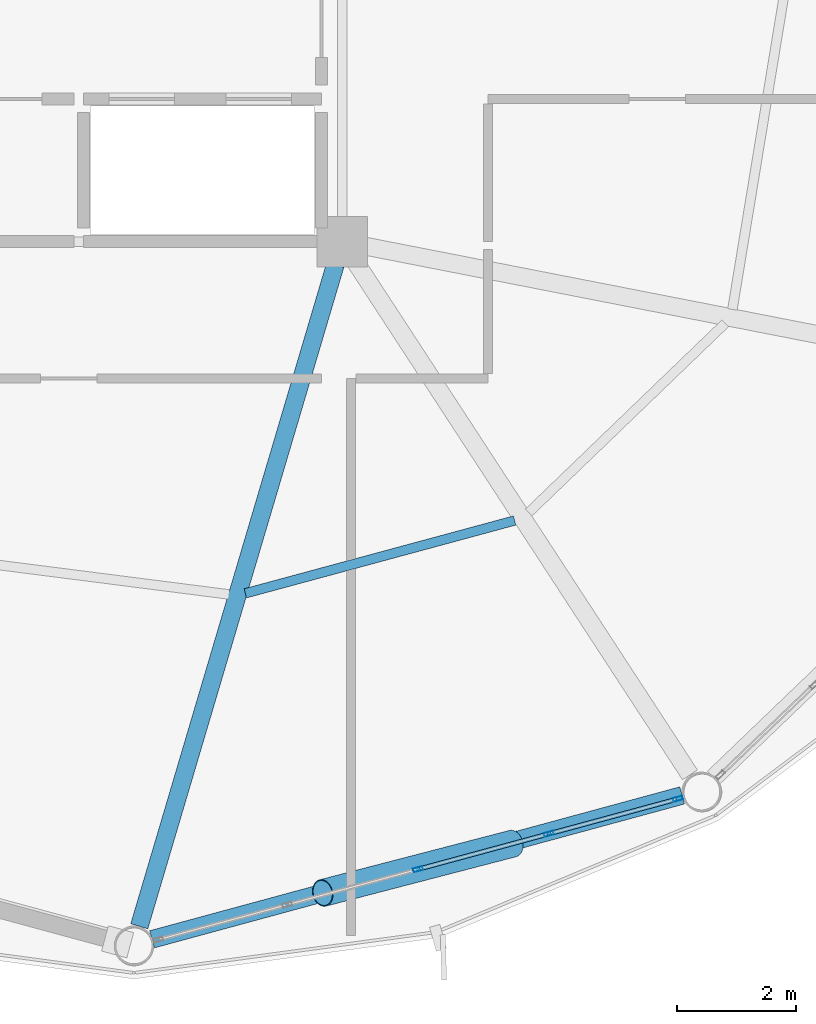
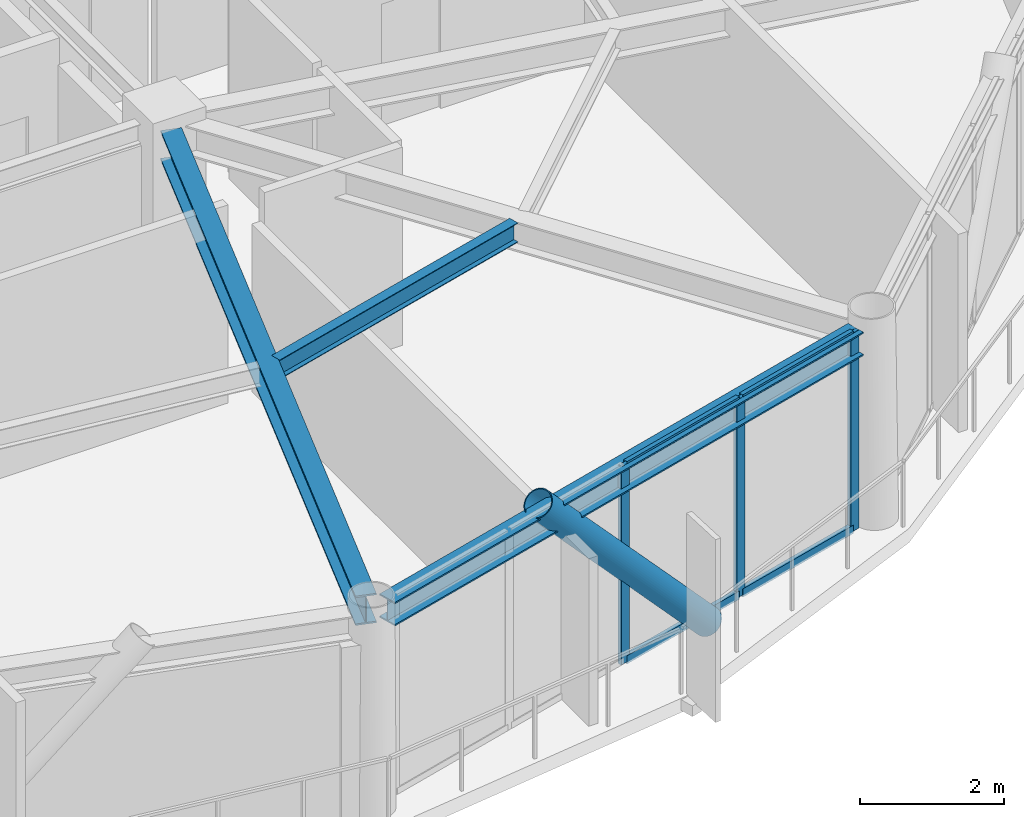
# One storey, part 8 of 28: 8 members, 3 beams, 1 element without a shape of its own.
"""IFC4 building model written with IfcOpenShell, lengths in metres."""

from ifc_helpers import new_model, si_unit, direction, frame, origin, origin_2d, place, context, subcontext, project, spatial, hollow_rectangle, hollow_circle, i_section, extrude, material, layer, layer_set, material_profile, profile_set, type_object, element, aggregate, save


model = new_model("IFC4")

# Units and contexts
model_context = context("Model", 3, precision=1e-05, world=origin(), true_north=direction((0.0, 1.0)))
body_context = subcontext(model_context, "Body", "Model", "MODEL_VIEW")
ifc_project = project(units=[si_unit("LENGTHUNIT", "METRE"), si_unit("AREAUNIT", "SQUARE_METRE"), si_unit("VOLUMEUNIT", "CUBIC_METRE"), si_unit("PLANEANGLEUNIT", "RADIAN"), si_unit("MASSUNIT", "GRAM", prefix="KILO")], contexts=[model_context])

# Site, building, storey
site_placement = place(None, origin())
site = spatial("IfcSite", under=ifc_project, at=site_placement, CompositionType="ELEMENT")
building_placement = place(site_placement, origin())
building = spatial("IfcBuilding", under=site, at=building_placement, Name="Varnakorn Sky Granary", CompositionType="ELEMENT")
storey_placement = place(building_placement, frame((0.0, 0.0, 207.60009765625)))
storey = spatial("IfcBuildingStorey", under=building, at=storey_placement, Name="L52", CompositionType="ELEMENT", Elevation=207.60009765625)

# Beams
ifc_material_1 = material(Name="Steel S355JR", Category="steel")
ifc_material_profile_1 = material_profile(ifc_material_1, i_section(OverallWidth=0.300048828125, OverallDepth=0.5, WebThickness=0.014404296875, FlangeThickness=0.028076171875, at=origin_2d()), Name="HE 500 B")
ifc_profile_set_1 = profile_set([ifc_material_profile_1], Name="Steel S355JR")
beam_type_1 = type_object("IfcBeamType", Name="BM-RAD-Z4", PredefinedType="BEAM", material=ifc_profile_set_1)
beam_1_placement = place(storey_placement, frame((8.23486328125, -6.98828125, 3.10986328125), z_axis=(-0.284121296777, -0.958788344066, 0.0), x_axis=(0.958788344066, -0.284121296777, 0.0)))
element("IfcBeam", 1, at=beam_1_placement, inside=storey, type_object=beam_type_1, Name="Radial Floor Girder RG10 L52", PredefinedType="BEAM", context=body_context, shape_type="SweptSolid", body=[
    extrude(i_section(OverallWidth=0.300048828125, OverallDepth=0.5, WebThickness=0.014404296875, FlangeThickness=0.028076171875, at=origin_2d()), origin(), (0.0, 0.0, 1.0), 11.5986328125),
])
ifc_material_profile_2 = material_profile(ifc_material_1, i_section(OverallWidth=0.159912109375, OverallDepth=0.330078125, WebThickness=0.007568359375, FlangeThickness=0.011474609375, at=origin_2d()), Name="IPE 330")
ifc_profile_set_2 = profile_set([ifc_material_profile_2], Name="Steel S355JR")
beam_type_2 = type_object("IfcBeamType", Name="BM-SEC-Z4", PredefinedType="BEAM", material=ifc_profile_set_2)
beam_2_placement = place(storey_placement, frame((6.722412109375, -12.51220703125, 3.19482421875), z_axis=(0.965325105242, 0.261050648707, 0.0), x_axis=(-0.261050648707, 0.965325105242, 0.0)))
element("IfcBeam", 2, at=beam_2_placement, inside=storey, type_object=beam_type_2, Name="Secondary Floor Chord Beam MSB10 L52", PredefinedType="BEAM", context=body_context, shape_type="SweptSolid", body=[
    extrude(i_section(OverallWidth=0.159912109375, OverallDepth=0.330078125, WebThickness=0.007568359375, FlangeThickness=0.011474609375, at=origin_2d()), origin(), (0.0, 0.0, 1.0), 4.689208984375),
])
ifc_material_profile_3 = material_profile(ifc_material_1, i_section(OverallWidth=0.300048828125, OverallDepth=0.39990234375, WebThickness=0.013427734375, FlangeThickness=0.02392578125, at=origin_2d()), Name="HE 400 B")
ifc_profile_set_3 = profile_set([ifc_material_profile_3], Name="Steel S355JR")
beam_type_3 = type_object("IfcBeamType", Name="BM-SPD-Z4", PredefinedType="SPANDREL", material=ifc_profile_set_3)
beam_3_placement = place(storey_placement, frame((5.154052734375, -18.32861328125, 3.159912109375), z_axis=(0.965080415156, 0.261953797993, 0.0), x_axis=(-0.261953797993, 0.965080415156, 0.0)))
element("IfcBeam", 3, at=beam_3_placement, inside=storey, type_object=beam_type_3, Name="Perimeter Spandrel Ring Beam RB10 L52", PredefinedType="SPANDREL", context=body_context, shape_type="SweptSolid", body=[
    extrude(i_section(OverallWidth=0.300048828125, OverallDepth=0.39990234375, WebThickness=0.013427734375, FlangeThickness=0.02392578125, at=origin_2d()), origin(), (0.0, 0.0, 1.0), 9.2333984375),
])

# Curtain wall, members
ifc_material_2 = material(Name="Anodised Bronze Aluminium Alloy 6063-T6", Category="aluminium")
ifc_layer = layer(ifc_material_2, 0.169921875, Name="Anodised Bronze Aluminium Alloy 6063-T6")
ifc_layer_set = layer_set([ifc_layer], Name="Anodised Bronze Aluminium Alloy 6063-T6")
curtain_wall_type = type_object("IfcCurtainWallType", Name="CW-LAB-1", PredefinedType="USERDEFINED", material=ifc_layer_set)
curtain_wall_placement = place(storey_placement, origin())
curtain_wall = element("IfcCurtainWall", 4, at=curtain_wall_placement, inside=storey, type_object=curtain_wall_type, Name="Unitised Curtain Wall CW5 CW-L52-B10", ObjectType="CURTAIN WALL", PredefinedType="USERDEFINED")
ifc_material_profile_4 = material_profile(ifc_material_2, hollow_rectangle(XDim=0.06494140625, YDim=0.159912109375, WallThickness=0.00341796875, at=origin_2d()), Name="ALU MULL 65x160")
ifc_profile_set_4 = profile_set([ifc_material_profile_4], Name="Anodised Bronze Aluminium Alloy 6063-T6")
member_type_1 = type_object("IfcMemberType", Name="CW-LAB-1-MULL", PredefinedType="MULLION", material=ifc_profile_set_4)
member_1_placement = place(storey_placement, frame((13.99462890625, -15.96728515625, 0.0), z_axis=(0.0, 0.0, 1.0), x_axis=(0.261502123426, -0.965202900661, 0.0)))
member_1 = element("IfcMember", 5, at=member_1_placement, type_object=member_type_1, Name="CW5 mullion 1", PredefinedType="MULLION", context=body_context, shape_type="SweptSolid", body=[
    extrude(hollow_rectangle(XDim=0.06494140625, YDim=0.159912109375, WallThickness=0.00341796875, at=origin_2d()), origin(), (0.0, 0.0, 1.0), 3.35986328125),
])
member_2_placement = place(storey_placement, frame((11.826171875, -16.554931640625, 0.0), z_axis=(0.0, 0.0, 1.0), x_axis=(0.261502123426, -0.965202900661, 0.0)))
member_2 = element("IfcMember", 6, at=member_2_placement, type_object=member_type_1, Name="CW5 mullion 2", PredefinedType="MULLION", context=body_context, shape_type="SweptSolid", body=[
    extrude(hollow_rectangle(XDim=0.06494140625, YDim=0.159912109375, WallThickness=0.00341796875, at=origin_2d()), origin(), (0.0, 0.0, 1.0), 3.35986328125),
])
member_3_placement = place(storey_placement, frame((9.626220703125, -17.15087890625, 0.0), z_axis=(0.0, 0.0, 1.0), x_axis=(0.261502123426, -0.965202900661, 0.0)))
member_3 = element("IfcMember", 7, at=member_3_placement, type_object=member_type_1, Name="CW5 mullion 3", PredefinedType="MULLION", context=body_context, shape_type="SweptSolid", body=[
    extrude(hollow_rectangle(XDim=0.06494140625, YDim=0.159912109375, WallThickness=0.00341796875, at=origin_2d()), origin(), (0.0, 0.0, 1.0), 3.35986328125),
])
ifc_material_profile_5 = material_profile(ifc_material_2, hollow_rectangle(XDim=0.070068359375, YDim=0.139892578125, WallThickness=0.00341796875, at=origin_2d()), Name="ALU TRAN 70x140")
ifc_profile_set_5 = profile_set([ifc_material_profile_5], Name="Anodised Bronze Aluminium Alloy 6063-T6")
member_type_2 = type_object("IfcMemberType", Name="CW-LAB-1-TRAN", PredefinedType="USERDEFINED", material=ifc_profile_set_5)
member_4_placement = place(storey_placement, frame((13.96337890625, -15.975830078125, 0.034912109375), z_axis=(-0.965196363855, -0.261526249545, 0.0), x_axis=(0.261526249545, -0.965196363855, 0.0)))
member_4 = element("IfcMember", 8, at=member_4_placement, type_object=member_type_2, Name="CW5 transom 1.1", ObjectType="TRANSOM", PredefinedType="USERDEFINED", context=body_context, shape_type="SweptSolid", body=[
    extrude(hollow_rectangle(XDim=0.070068359375, YDim=0.139892578125, WallThickness=0.00341796875, at=origin_2d()), origin(), (0.0, 0.0, 1.0), 2.181640625),
])
member_5_placement = place(storey_placement, frame((13.96337890625, -15.975830078125, 3.324951171875), z_axis=(-0.965196363855, -0.261526249545, 0.0), x_axis=(0.261526249545, -0.965196363855, 0.0)))
member_5 = element("IfcMember", 9, at=member_5_placement, type_object=member_type_2, Name="CW5 transom 1.2", ObjectType="TRANSOM", PredefinedType="USERDEFINED", context=body_context, shape_type="SweptSolid", body=[
    extrude(hollow_rectangle(XDim=0.070068359375, YDim=0.139892578125, WallThickness=0.00341796875, at=origin_2d()), origin(), (0.0, 0.0, 1.0), 2.181640625),
])
member_6_placement = place(storey_placement, frame((11.794921875, -16.5634765625, 0.034912109375), z_axis=(-0.965222894139, -0.261428316427, 0.0), x_axis=(0.261428316427, -0.965222894139, 0.0)))
member_6 = element("IfcMember", 10, at=member_6_placement, type_object=member_type_2, Name="CW5 transom 2.1", ObjectType="TRANSOM", PredefinedType="USERDEFINED", context=body_context, shape_type="SweptSolid", body=[
    extrude(hollow_rectangle(XDim=0.070068359375, YDim=0.139892578125, WallThickness=0.00341796875, at=origin_2d()), origin(), (0.0, 0.0, 1.0), 2.214111328125),
])
member_7_placement = place(storey_placement, frame((11.794921875, -16.5634765625, 3.324951171875), z_axis=(-0.965222894139, -0.261428316427, 0.0), x_axis=(0.261428316427, -0.965222894139, 0.0)))
member_7 = element("IfcMember", 11, at=member_7_placement, type_object=member_type_2, Name="CW5 transom 2.2", ObjectType="TRANSOM", PredefinedType="USERDEFINED", context=body_context, shape_type="SweptSolid", body=[
    extrude(hollow_rectangle(XDim=0.070068359375, YDim=0.139892578125, WallThickness=0.00341796875, at=origin_2d()), origin(), (0.0, 0.0, 1.0), 2.214111328125),
])
aggregate(curtain_wall, [member_1, member_2, member_3, member_4, member_5, member_6, member_7])

# Member
ifc_material_3 = material(Name="Steel S460M", Category="steel")
ifc_material_profile_6 = material_profile(ifc_material_3, hollow_circle(Radius=0.228515625, WallThickness=0.01611328125, at=origin_2d()), Name="CHS 457x16")
ifc_profile_set_6 = profile_set([ifc_material_profile_6], Name="Steel S460M")
member_type_3 = type_object("IfcMemberType", Name="MB-DIAG-T3", PredefinedType="BRACE", material=ifc_profile_set_6)
member_8_placement = place(storey_placement, frame((11.21826171875, -16.719482421875, -0.130126953125), z_axis=(-0.652176502421, -0.169472210019, 0.738880896844), x_axis=(0.251503626725, -0.967856355946, 0.0)))
element("IfcMember", 12, at=member_8_placement, inside=storey, type_object=member_type_3, Name="Perimeter CHS Diagrid Brace DG10 L52", PredefinedType="BRACE", context=body_context, shape_type="SweptSolid", body=[
    extrude(hollow_circle(Radius=0.228515625, WallThickness=0.01611328125, at=origin_2d()), origin(), (0.0, 0.0, 1.0), 4.8994140625),
])

save(model, "model.ifc")
